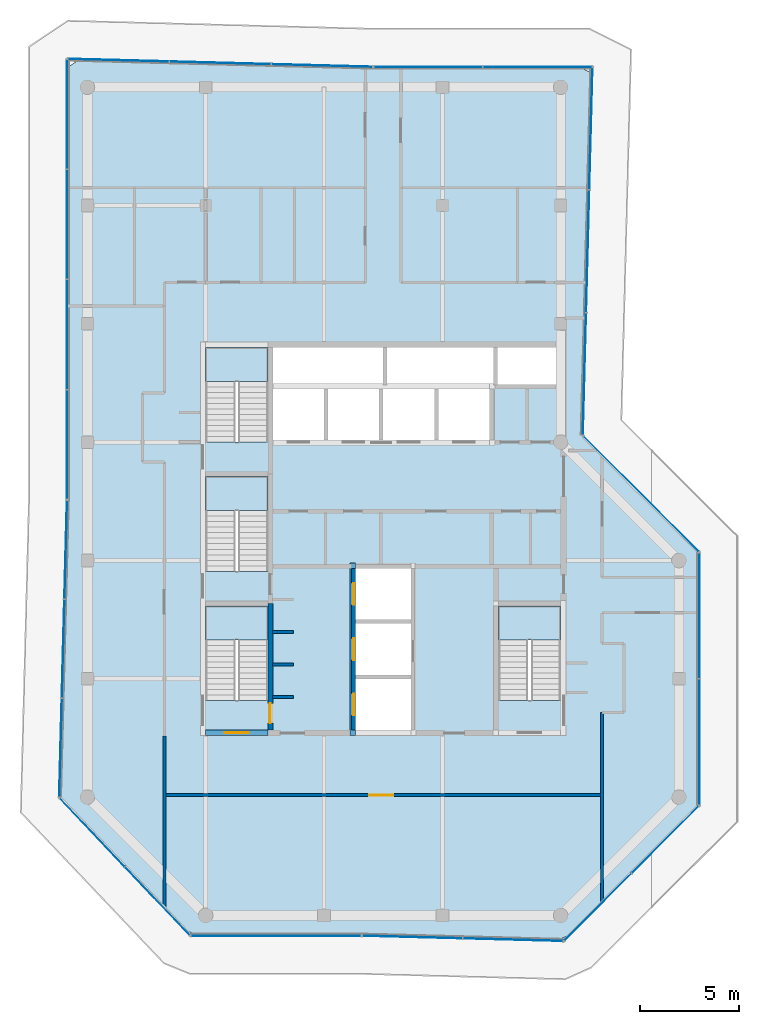
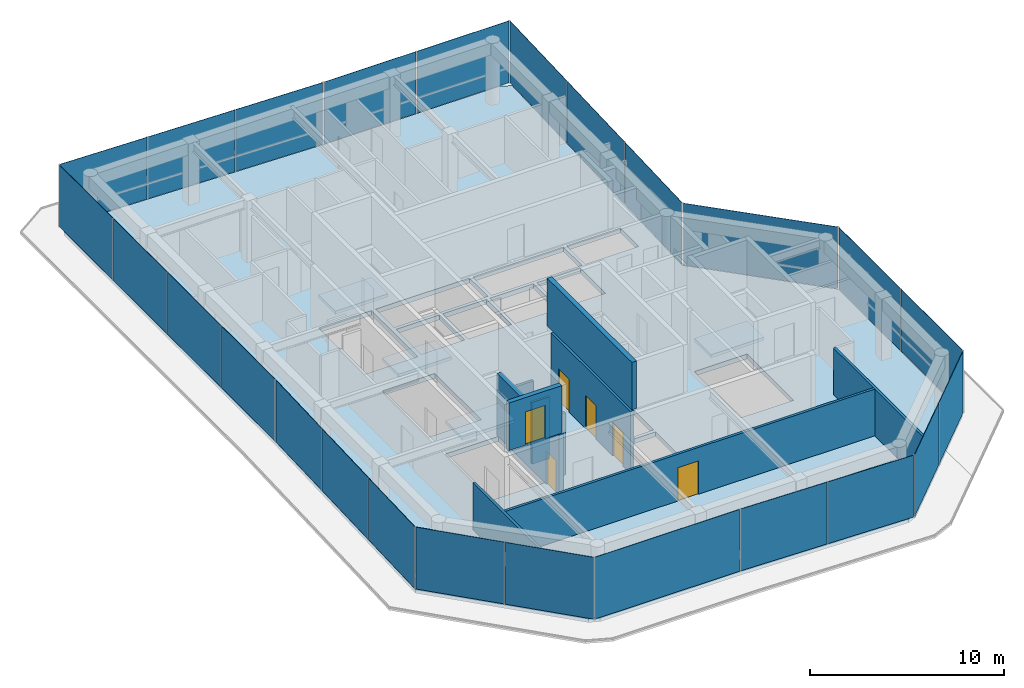
# One storey, part 10 of 15: 25 plates, 10 walls, 6 doors, 5 slabs, 6 openings, 15 elements without a shape of their own.
"""IFC4 building model written with IfcOpenShell, lengths in metres."""

from ifc_helpers import new_model, si_unit, direction, frame, frame_2d, origin, origin_2d, place, context, subcontext, project, spatial, polyline, rectangle, outline, extrude, material, layer, layer_set, type_object, element, fill, aggregate, save


model = new_model("IFC4")

# Units and contexts
model_context = context("Model", 3, precision=1e-05, world=origin(), true_north=direction((0.0, 1.0)))
body_context = subcontext(model_context, "Body", "Model", "MODEL_VIEW")
ifc_project = project(units=[si_unit("LENGTHUNIT", "METRE"), si_unit("AREAUNIT", "SQUARE_METRE"), si_unit("VOLUMEUNIT", "CUBIC_METRE"), si_unit("PLANEANGLEUNIT", "RADIAN"), si_unit("MASSUNIT", "GRAM", prefix="KILO")], contexts=[model_context])

# Site, building, storey
site_placement = place(None, origin())
site = spatial("IfcSite", under=ifc_project, at=site_placement, CompositionType="ELEMENT")
building_placement = place(site_placement, origin())
building = spatial("IfcBuilding", under=site, at=building_placement, Name="Welwitschia Terrace Campus", CompositionType="ELEMENT")
storey_placement = place(building_placement, frame((0.0, 0.0, 339.800048828125)))
storey = spatial("IfcBuildingStorey", under=building, at=storey_placement, Name="L76", CompositionType="ELEMENT", Elevation=339.800048828125)

# Curtain wall, plates
ifc_material_1 = material(Name="Bronze anodised aluminium", Category="aluminium")
ifc_layer_1 = layer(ifc_material_1, 0.10009765625)
ifc_layer_set_1 = layer_set([ifc_layer_1], Name="Bronze anodised aluminium")
curtain_wall_type = type_object("IfcCurtainWallType", Name="Curtain wall CW5 crown 6000", PredefinedType="NOTDEFINED", material=ifc_layer_set_1)
curtain_wall_1_placement = place(storey_placement, origin())
curtain_wall_1 = element("IfcCurtainWall", 1, at=curtain_wall_1_placement, inside=storey, type_object=curtain_wall_type, Name="CW L76.0.0", PredefinedType="NOTDEFINED")
ifc_material_2 = material(Name="Tinted bronze-grey glass", Category="glass")
ifc_layer_2 = layer(ifc_material_2, 0.02392578125)
ifc_layer_set_2 = layer_set([ifc_layer_2], Name="Tinted bronze-grey glass")
plate_type = type_object("IfcPlateType", Name="Glass panel 24 tinted", PredefinedType="CURTAIN_PANEL", material=ifc_layer_set_2)
plate_1_placement = place(storey_placement, frame((-1.09619140625, 14.547119140625, 0.0), z_axis=(0.0, 0.0, 1.0), x_axis=(-0.026176948308, -0.999657324976, 0.0)))
plate_1 = element("IfcPlate", 2, at=plate_1_placement, type_object=plate_type, Name="Panel L76.0.0.0", PredefinedType="CURTAIN_PANEL", context=body_context, shape_type="SweptSolid", body=[
    extrude(rectangle(XDim=4.959716796875, YDim=0.02392578125, at=origin_2d()), origin(), (0.0, 0.0, 1.0), 3.89990234375),
])
plate_2_placement = place(storey_placement, frame((-1.227783203125, 9.526611328125, 0.0), z_axis=(0.0, 0.0, 1.0), x_axis=(-0.026176948308, -0.999657324976, 0.0)))
plate_2 = element("IfcPlate", 3, at=plate_2_placement, type_object=plate_type, Name="Panel L76.0.0.1", PredefinedType="CURTAIN_PANEL", context=body_context, shape_type="SweptSolid", body=[
    extrude(rectangle(XDim=4.984619140625, YDim=0.02392578125, at=origin_2d()), origin(), (0.0, 0.0, 1.0), 3.89990234375),
])
plate_3_placement = place(storey_placement, frame((-1.359130859375, 4.50634765625, 0.0), z_axis=(0.0, 0.0, 1.0), x_axis=(-0.026176948308, -0.999657324976, 0.0)))
plate_3 = element("IfcPlate", 4, at=plate_3_placement, type_object=plate_type, Name="Panel L76.0.0.2", PredefinedType="CURTAIN_PANEL", context=body_context, shape_type="SweptSolid", body=[
    extrude(rectangle(XDim=4.959716796875, YDim=0.02392578125, at=origin_2d()), origin(), (0.0, 0.0, 1.0), 3.89990234375),
])
aggregate(curtain_wall_1, [plate_1, plate_2, plate_3])

curtain_wall_2_placement = place(storey_placement, origin())
curtain_wall_2 = element("IfcCurtainWall", 5, at=curtain_wall_2_placement, inside=storey, type_object=curtain_wall_type, Name="CW L76.1.0", PredefinedType="NOTDEFINED")
plate_4_placement = place(storey_placement, frame((0.24560546875, 0.21630859375, 0.0), z_axis=(0.0, 0.0, 1.0), x_axis=(0.688354575694, -0.725374371012, 0.0)))
plate_4 = element("IfcPlate", 6, at=plate_4_placement, type_object=plate_type, Name="Panel L76.1.0.0", PredefinedType="CURTAIN_PANEL", context=body_context, shape_type="SweptSolid", body=[
    extrude(rectangle(XDim=4.755126953125, YDim=0.02392578125, at=origin_2d()), origin(), (0.0, 0.0, 1.0), 3.89990234375),
])
plate_5_placement = place(storey_placement, frame((3.55322265625, -3.26904296875, 0.0), z_axis=(0.0, 0.0, 1.0), x_axis=(0.688354575694, -0.725374371012, 0.0)))
plate_5 = element("IfcPlate", 7, at=plate_5_placement, type_object=plate_type, Name="Panel L76.1.0.1", PredefinedType="CURTAIN_PANEL", context=body_context, shape_type="SweptSolid", body=[
    extrude(rectangle(XDim=4.755126953125, YDim=0.02392578125, at=origin_2d()), origin(), (0.0, 0.0, 1.0), 3.89990234375),
])
aggregate(curtain_wall_2, [plate_4, plate_5])

# Curtain wall, plate
curtain_wall_3_placement = place(storey_placement, origin())
curtain_wall_3 = element("IfcCurtainWall", 8, at=curtain_wall_3_placement, inside=storey, type_object=curtain_wall_type, Name="CW L76.2.0", PredefinedType="NOTDEFINED")
plate_6_placement = place(storey_placement, frame((9.56884765625, -5.030029296875, 0.0), z_axis=(0.0, 0.0, 1.0), x_axis=(1.0, 0.0, 0.0)))
plate_6 = element("IfcPlate", 9, at=plate_6_placement, type_object=plate_type, Name="Panel L76.2.0.0", PredefinedType="CURTAIN_PANEL", context=body_context, shape_type="SweptSolid", body=[
    extrude(rectangle(XDim=8.589111328125, YDim=0.02392578125, at=origin_2d()), origin(), (0.0, 0.0, 1.0), 3.89990234375),
])
aggregate(curtain_wall_3, [plate_6])

# Curtain wall, plates
curtain_wall_4_placement = place(storey_placement, origin())
curtain_wall_4 = element("IfcCurtainWall", 10, at=curtain_wall_4_placement, inside=storey, type_object=curtain_wall_type, Name="CW L76.3.0", PredefinedType="NOTDEFINED")
plate_7_placement = place(storey_placement, frame((16.487060546875, -5.097412109375, 0.0), z_axis=(0.0, 0.0, 1.0), x_axis=(0.999657324976, -0.026176948308, 0.0)))
plate_7 = element("IfcPlate", 11, at=plate_7_placement, type_object=plate_type, Name="Panel L76.3.0.0", PredefinedType="CURTAIN_PANEL", context=body_context, shape_type="SweptSolid", body=[
    extrude(rectangle(XDim=5.04931640625, YDim=0.02392578125, at=origin_2d()), origin(), (0.0, 0.0, 1.0), 3.89990234375),
])
plate_8_placement = place(storey_placement, frame((21.584716796875, -5.23095703125, 0.0), z_axis=(0.0, 0.0, 1.0), x_axis=(0.999657324976, -0.026176948308, 0.0)))
plate_8 = element("IfcPlate", 12, at=plate_8_placement, type_object=plate_type, Name="Panel L76.3.0.1", PredefinedType="CURTAIN_PANEL", context=body_context, shape_type="SweptSolid", body=[
    extrude(rectangle(XDim=5.04931640625, YDim=0.02392578125, at=origin_2d()), origin(), (0.0, 0.0, 1.0), 3.89990234375),
])
aggregate(curtain_wall_4, [plate_7, plate_8])

curtain_wall_5_placement = place(storey_placement, origin())
curtain_wall_5 = element("IfcCurtainWall", 13, at=curtain_wall_5_placement, inside=storey, type_object=curtain_wall_type, Name="CW L76.4.0", PredefinedType="NOTDEFINED")
plate_9_placement = place(storey_placement, frame((25.885009765625, -3.571533203125, 0.0), z_axis=(0.0, 0.0, 1.0), x_axis=(0.707106781187, 0.707106781187, 0.0)))
plate_9 = element("IfcPlate", 14, at=plate_9_placement, type_object=plate_type, Name="Panel L76.4.0.0", PredefinedType="CURTAIN_PANEL", context=body_context, shape_type="SweptSolid", body=[
    extrude(rectangle(XDim=4.783935546875, YDim=0.02392578125, at=origin_2d()), origin(), (0.0, 0.0, 1.0), 3.89990234375),
])
plate_10_placement = place(storey_placement, frame((29.30322265625, -0.1533203125, 0.0), z_axis=(0.0, 0.0, 1.0), x_axis=(0.707106781187, 0.707106781187, 0.0)))
plate_10 = element("IfcPlate", 15, at=plate_10_placement, type_object=plate_type, Name="Panel L76.4.0.1", PredefinedType="CURTAIN_PANEL", context=body_context, shape_type="SweptSolid", body=[
    extrude(rectangle(XDim=4.783935546875, YDim=0.02392578125, at=origin_2d()), origin(), (0.0, 0.0, 1.0), 3.89990234375),
])
aggregate(curtain_wall_5, [plate_9, plate_10])

curtain_wall_6_placement = place(storey_placement, origin())
curtain_wall_6 = element("IfcCurtainWall", 16, at=curtain_wall_6_placement, inside=storey, type_object=curtain_wall_type, Name="CW L76.5.0", PredefinedType="NOTDEFINED")
plate_11_placement = place(storey_placement, frame((31.030029296875, 4.799072265625, 0.0), z_axis=(0.0, 0.0, 1.0), x_axis=(0.0, 1.0, 0.0)))
plate_11 = element("IfcPlate", 17, at=plate_11_placement, type_object=plate_type, Name="Panel L76.5.0.0", PredefinedType="CURTAIN_PANEL", context=body_context, shape_type="SweptSolid", body=[
    extrude(rectangle(XDim=6.3515625, YDim=0.02392578125, at=origin_2d()), origin(), (0.0, 0.0, 1.0), 3.89990234375),
])
plate_12_placement = place(storey_placement, frame((31.030029296875, 11.200927734375, 0.0), z_axis=(0.0, 0.0, 1.0), x_axis=(0.0, 1.0, 0.0)))
plate_12 = element("IfcPlate", 18, at=plate_12_placement, type_object=plate_type, Name="Panel L76.5.0.1", PredefinedType="CURTAIN_PANEL", context=body_context, shape_type="SweptSolid", body=[
    extrude(rectangle(XDim=6.3515625, YDim=0.02392578125, at=origin_2d()), origin(), (0.0, 0.0, 1.0), 3.89990234375),
])
aggregate(curtain_wall_6, [plate_11, plate_12])

# Curtain wall, plate
curtain_wall_7_placement = place(storey_placement, origin())
curtain_wall_7 = element("IfcCurtainWall", 19, at=curtain_wall_7_placement, inside=storey, type_object=curtain_wall_type, Name="CW L76.6.0", PredefinedType="NOTDEFINED")
plate_13_placement = place(storey_placement, frame((28.0771484375, 17.379638671875, 0.0), z_axis=(0.0, 0.0, 1.0), x_axis=(-0.707106781187, 0.707106781187, 0.0)))
plate_13 = element("IfcPlate", 20, at=plate_13_placement, type_object=plate_type, Name="Panel L76.6.0.0", PredefinedType="CURTAIN_PANEL", context=body_context, shape_type="SweptSolid", body=[
    extrude(rectangle(XDim=8.251953125, YDim=0.02392578125, at=origin_2d()), origin(), (0.0, 0.0, 1.0), 3.89990234375),
])
aggregate(curtain_wall_7, [plate_13])

# Curtain wall, plates
curtain_wall_8_placement = place(storey_placement, origin())
curtain_wall_8 = element("IfcCurtainWall", 21, at=curtain_wall_8_placement, inside=storey, type_object=curtain_wall_type, Name="CW L76.7.0", PredefinedType="NOTDEFINED")
plate_14_placement = place(storey_placement, frame((25.2060546875, 23.461181640625, 0.0), z_axis=(0.0, 0.0, 1.0), x_axis=(0.026176948308, 0.999657324976, 0.0)))
plate_14 = element("IfcPlate", 22, at=plate_14_placement, type_object=plate_type, Name="Panel L76.7.0.0", PredefinedType="CURTAIN_PANEL", context=body_context, shape_type="SweptSolid", body=[
    extrude(rectangle(XDim=6.15966796875, YDim=0.02392578125, at=origin_2d()), origin(), (0.0, 0.0, 1.0), 3.89990234375),
])
plate_15_placement = place(storey_placement, frame((25.368896484375, 29.68115234375, 0.0), z_axis=(0.0, 0.0, 1.0), x_axis=(0.026176948308, 0.999657324976, 0.0)))
plate_15 = element("IfcPlate", 23, at=plate_15_placement, type_object=plate_type, Name="Panel L76.7.0.1", PredefinedType="CURTAIN_PANEL", context=body_context, shape_type="SweptSolid", body=[
    extrude(rectangle(XDim=6.1845703125, YDim=0.02392578125, at=origin_2d()), origin(), (0.0, 0.0, 1.0), 3.89990234375),
])
plate_16_placement = place(storey_placement, frame((25.531982421875, 35.901123046875, 0.0), z_axis=(0.0, 0.0, 1.0), x_axis=(0.026176948308, 0.999657324976, 0.0)))
plate_16 = element("IfcPlate", 24, at=plate_16_placement, type_object=plate_type, Name="Panel L76.7.0.2", PredefinedType="CURTAIN_PANEL", context=body_context, shape_type="SweptSolid", body=[
    extrude(rectangle(XDim=6.15966796875, YDim=0.02392578125, at=origin_2d()), origin(), (0.0, 0.0, 1.0), 3.89990234375),
])
aggregate(curtain_wall_8, [plate_14, plate_15, plate_16])

curtain_wall_9_placement = place(storey_placement, origin())
curtain_wall_9 = element("IfcCurtainWall", 25, at=curtain_wall_9_placement, inside=storey, type_object=curtain_wall_type, Name="CW L76.8.0", PredefinedType="NOTDEFINED")
plate_17_placement = place(storey_placement, frame((22.8203125, 39.030029296875, 0.0), z_axis=(0.0, 0.0, 1.0), x_axis=(-1.0, 0.0, 0.0)))
plate_17 = element("IfcPlate", 26, at=plate_17_placement, type_object=plate_type, Name="Panel L76.8.0.0", PredefinedType="CURTAIN_PANEL", context=body_context, shape_type="SweptSolid", body=[
    extrude(rectangle(XDim=5.48681640625, YDim=0.02392578125, at=origin_2d()), origin(), (0.0, 0.0, 1.0), 3.89990234375),
])
plate_18_placement = place(storey_placement, frame((17.283447265625, 39.030029296875, 0.0), z_axis=(0.0, 0.0, 1.0), x_axis=(-1.0, 0.0, 0.0)))
plate_18 = element("IfcPlate", 27, at=plate_18_placement, type_object=plate_type, Name="Panel L76.8.0.1", PredefinedType="CURTAIN_PANEL", context=body_context, shape_type="SweptSolid", body=[
    extrude(rectangle(XDim=5.48681640625, YDim=0.02392578125, at=origin_2d()), origin(), (0.0, 0.0, 1.0), 3.89990234375),
])
aggregate(curtain_wall_9, [plate_17, plate_18])

curtain_wall_10_placement = place(storey_placement, origin())
curtain_wall_10 = element("IfcCurtainWall", 28, at=curtain_wall_10_placement, inside=storey, type_object=curtain_wall_type, Name="CW L76.9.0", PredefinedType="NOTDEFINED")
plate_19_placement = place(storey_placement, frame((11.890869140625, 39.09814453125, 0.0), z_axis=(0.0, 0.0, 1.0), x_axis=(-0.999657324976, 0.026176948308, 0.0)))
plate_19 = element("IfcPlate", 29, at=plate_19_placement, type_object=plate_type, Name="Panel L76.9.0.0", PredefinedType="CURTAIN_PANEL", context=body_context, shape_type="SweptSolid", body=[
    extrude(rectangle(XDim=5.10009765625, YDim=0.02392578125, at=origin_2d()), origin(), (0.0, 0.0, 1.0), 3.89990234375),
])
plate_20_placement = place(storey_placement, frame((6.72998046875, 39.233154296875, 0.0), z_axis=(0.0, 0.0, 1.0), x_axis=(-0.999657324976, 0.026176948308, 0.0)))
plate_20 = element("IfcPlate", 30, at=plate_20_placement, type_object=plate_type, Name="Panel L76.9.0.1", PredefinedType="CURTAIN_PANEL", context=body_context, shape_type="SweptSolid", body=[
    extrude(rectangle(XDim=5.125244140625, YDim=0.02392578125, at=origin_2d()), origin(), (0.0, 0.0, 1.0), 3.89990234375),
])
plate_21_placement = place(storey_placement, frame((1.569091796875, 39.368408203125, 0.0), z_axis=(0.0, 0.0, 1.0), x_axis=(-0.999657324976, 0.026176948308, 0.0)))
plate_21 = element("IfcPlate", 31, at=plate_21_placement, type_object=plate_type, Name="Panel L76.9.0.2", PredefinedType="CURTAIN_PANEL", context=body_context, shape_type="SweptSolid", body=[
    extrude(rectangle(XDim=5.10009765625, YDim=0.02392578125, at=origin_2d()), origin(), (0.0, 0.0, 1.0), 3.89990234375),
])
aggregate(curtain_wall_10, [plate_19, plate_20, plate_21])

curtain_wall_11_placement = place(storey_placement, origin())
curtain_wall_11 = element("IfcCurtainWall", 32, at=curtain_wall_11_placement, inside=storey, type_object=curtain_wall_type, Name="CW L76.10.0", PredefinedType="NOTDEFINED")
plate_22_placement = place(storey_placement, frame((-1.030029296875, 36.62890625, 0.0), z_axis=(0.0, 0.0, 1.0), x_axis=(0.0, -1.0, 0.0)))
plate_22 = element("IfcPlate", 33, at=plate_22_placement, type_object=plate_type, Name="Panel L76.10.0.0", PredefinedType="CURTAIN_PANEL", context=body_context, shape_type="SweptSolid", body=[
    extrude(rectangle(XDim=5.51513671875, YDim=0.02392578125, at=origin_2d()), origin(), (0.0, 0.0, 1.0), 3.89990234375),
])
plate_23_placement = place(storey_placement, frame((-1.030029296875, 31.05126953125, 0.0), z_axis=(0.0, 0.0, 1.0), x_axis=(0.0, -1.0, 0.0)))
plate_23 = element("IfcPlate", 34, at=plate_23_placement, type_object=plate_type, Name="Panel L76.10.0.1", PredefinedType="CURTAIN_PANEL", context=body_context, shape_type="SweptSolid", body=[
    extrude(rectangle(XDim=5.5400390625, YDim=0.02392578125, at=origin_2d()), origin(), (0.0, 0.0, 1.0), 3.89990234375),
])
plate_24_placement = place(storey_placement, frame((-1.030029296875, 25.461181640625, 0.0), z_axis=(0.0, 0.0, 1.0), x_axis=(0.0, -1.0, 0.0)))
plate_24 = element("IfcPlate", 35, at=plate_24_placement, type_object=plate_type, Name="Panel L76.10.0.2", PredefinedType="CURTAIN_PANEL", context=body_context, shape_type="SweptSolid", body=[
    extrude(rectangle(XDim=5.5400390625, YDim=0.02392578125, at=origin_2d()), origin(), (0.0, 0.0, 1.0), 3.89990234375),
])
plate_25_placement = place(storey_placement, frame((-1.030029296875, 19.883544921875, 0.0), z_axis=(0.0, 0.0, 1.0), x_axis=(0.0, -1.0, 0.0)))
plate_25 = element("IfcPlate", 36, at=plate_25_placement, type_object=plate_type, Name="Panel L76.10.0.3", PredefinedType="CURTAIN_PANEL", context=body_context, shape_type="SweptSolid", body=[
    extrude(rectangle(XDim=5.51513671875, YDim=0.02392578125, at=origin_2d()), origin(), (0.0, 0.0, 1.0), 3.89990234375),
])
aggregate(curtain_wall_11, [plate_22, plate_23, plate_24, plate_25])

# Stair, slab
ifc_material_3 = material(Name="Concrete C40/50", Category="concrete")
stair_type = type_object("IfcStairType", Name="Stair 24R 175 W1500", PredefinedType="HALF_TURN_STAIR", material=ifc_material_3)
stair_1_placement = place(storey_placement, origin())
stair_1 = element("IfcStair", 37, at=stair_1_placement, inside=storey, type_object=stair_type, Name="L76 Exit stair S1", PredefinedType="HALF_TURN_STAIR")
ifc_material_4 = material(Name="Concrete C40/50", Category="concrete")
ifc_layer_3 = layer(ifc_material_4, 0.199951171875)
ifc_layer_set_3 = layer_set([ifc_layer_3], Name="Concrete C40/50")
slab_type_1 = type_object("IfcSlabType", Name="Stair landing RC", PredefinedType="LANDING", material=ifc_layer_set_3)
slab_1_placement = place(storey_placement, frame((0.0, 0.0, 1.89990234375)))
slab_1 = element("IfcSlab", 38, at=slab_1_placement, type_object=slab_type_1, Name="S1 landing 1", PredefinedType="LANDING", context=body_context, shape_type="SweptSolid", body=[
    extrude(outline(polyline([(9.14990234375, 9.97998046875), (9.14990234375, 11.699951171875), (6.0, 11.699951171875), (6.0, 9.97998046875), (9.14990234375, 9.97998046875)])), origin(), (0.0, 0.0, 1.0), 0.199951171875),
])
aggregate(stair_1, [slab_1])

stair_2_placement = place(storey_placement, origin())
stair_2 = element("IfcStair", 39, at=stair_2_placement, inside=storey, type_object=stair_type, Name="L76 Exit stair S3", PredefinedType="HALF_TURN_STAIR")
slab_2_placement = place(storey_placement, frame((0.0, 0.0, 1.89990234375)))
slab_2 = element("IfcSlab", 40, at=slab_2_placement, type_object=slab_type_1, Name="S3 landing 1", PredefinedType="LANDING", context=body_context, shape_type="SweptSolid", body=[
    extrude(outline(polyline([(9.14990234375, 16.530029296875), (9.14990234375, 18.25), (6.0, 18.25), (6.0, 16.530029296875), (9.14990234375, 16.530029296875)])), origin(), (0.0, 0.0, 1.0), 0.199951171875),
])
aggregate(stair_2, [slab_2])

stair_3_placement = place(storey_placement, origin())
stair_3 = element("IfcStair", 41, at=stair_3_placement, inside=storey, type_object=stair_type, Name="L76 Exit stair S4", PredefinedType="HALF_TURN_STAIR")
slab_3_placement = place(storey_placement, frame((0.0, 0.0, 1.89990234375)))
slab_3 = element("IfcSlab", 42, at=slab_3_placement, type_object=slab_type_1, Name="S4 landing 1", PredefinedType="LANDING", context=body_context, shape_type="SweptSolid", body=[
    extrude(outline(polyline([(9.14990234375, 23.080078125), (9.14990234375, 24.800048828125), (6.0, 24.800048828125), (6.0, 23.080078125), (9.14990234375, 23.080078125)])), origin(), (0.0, 0.0, 1.0), 0.199951171875),
])
aggregate(stair_3, [slab_3])

stair_4_placement = place(storey_placement, origin())
stair_4 = element("IfcStair", 43, at=stair_4_placement, inside=storey, type_object=stair_type, Name="L76 Exit stair S2", PredefinedType="HALF_TURN_STAIR")
slab_4_placement = place(storey_placement, frame((0.0, 0.0, 1.89990234375)))
slab_4 = element("IfcSlab", 44, at=slab_4_placement, type_object=slab_type_1, Name="S2 landing 1", PredefinedType="LANDING", context=body_context, shape_type="SweptSolid", body=[
    extrude(outline(polyline([(24.0, 9.97998046875), (24.0, 11.699951171875), (20.85009765625, 11.699951171875), (20.85009765625, 9.97998046875), (24.0, 9.97998046875)])), origin(), (0.0, 0.0, 1.0), 0.199951171875),
])
aggregate(stair_4, [slab_4])

# Slab
ifc_material_5 = material(Name="Concrete C40/50", Category="concrete")
ifc_layer_4 = layer(ifc_material_5, 0.300048828125)
ifc_layer_set_4 = layer_set([ifc_layer_4], Name="Concrete C40/50")
slab_type_2 = type_object("IfcSlabType", Name="Suspended floor slab 300", PredefinedType="FLOOR", material=ifc_layer_set_4)
slab_5_placement = place(storey_placement, frame((0.0, 0.0, -0.300048828125)))
element("IfcSlab", 45, at=slab_5_placement, inside=storey, type_object=slab_type_2, Name="Floor slab L76", PredefinedType="FLOOR", context=body_context, shape_type="SweptSolid", body=[
    extrude(outline(polyline([(-0.415771484375, 39.390380859375), (14.48974609375, 39.0), (25.0, 39.0), (25.575439453125, 38.709716796875), (25.093994140625, 20.3203125), (31.0, 14.414306640625), (31.0, 1.585693359375), (24.414306640625, -5.0), (23.838134765625, -5.259765625), (13.913818359375, -5.0), (5.585693359375, -5.0), (5.01611328125, -4.76708984375), (-1.39501953125, 1.989013671875), (-1.0, 17.07568359375), (-1.0, 39.0), (-0.415771484375, 39.390380859375)]), holes=[polyline([(13.60009765625, 8.0), (13.60009765625, 5.39990234375), (16.39990234375, 5.39990234375), (16.39990234375, 8.0), (13.60009765625, 8.0)]), polyline([(9.14990234375, 11.699951171875), (6.0, 11.699951171875), (6.0, 6.902099609375), (9.14990234375, 6.902099609375), (9.14990234375, 11.699951171875)]), polyline([(9.14990234375, 18.25), (6.0, 18.25), (6.0, 13.451904296875), (9.14990234375, 13.451904296875), (9.14990234375, 18.25)]), polyline([(12.0, 22.699951171875), (9.39990234375, 22.699951171875), (9.39990234375, 20.10009765625), (12.0, 20.10009765625), (12.0, 22.699951171875)]), polyline([(14.800048828125, 22.699951171875), (12.199951171875, 22.699951171875), (12.199951171875, 20.10009765625), (14.800048828125, 20.10009765625), (14.800048828125, 22.699951171875)]), polyline([(9.14990234375, 24.800048828125), (6.0, 24.800048828125), (6.0, 20.001953125), (9.14990234375, 20.001953125), (9.14990234375, 24.800048828125)]), polyline([(15.0, 24.800048828125), (9.39990234375, 24.800048828125), (9.39990234375, 22.89990234375), (15.0, 22.89990234375), (15.0, 24.800048828125)]), polyline([(20.85009765625, 11.699951171875), (20.85009765625, 6.902099609375), (24.0, 6.902099609375), (24.0, 11.699951171875), (20.85009765625, 11.699951171875)]), polyline([(16.39990234375, 10.800048828125), (13.60009765625, 10.800048828125), (13.60009765625, 8.199951171875), (16.39990234375, 8.199951171875), (16.39990234375, 10.800048828125)]), polyline([(16.39990234375, 13.60009765625), (13.60009765625, 13.60009765625), (13.60009765625, 11.0), (16.39990234375, 11.0), (16.39990234375, 13.60009765625)]), polyline([(17.60009765625, 22.699951171875), (15.0, 22.699951171875), (15.0, 20.10009765625), (17.60009765625, 20.10009765625), (17.60009765625, 22.699951171875)]), polyline([(20.39990234375, 22.699951171875), (17.800048828125, 22.699951171875), (17.800048828125, 20.10009765625), (20.39990234375, 20.10009765625), (20.39990234375, 22.699951171875)]), polyline([(20.60009765625, 24.800048828125), (15.199951171875, 24.800048828125), (15.199951171875, 22.89990234375), (20.60009765625, 22.89990234375), (20.60009765625, 24.800048828125)]), polyline([(24.0, 24.800048828125), (20.800048828125, 24.800048828125), (20.800048828125, 22.89990234375), (24.0, 22.89990234375), (24.0, 24.800048828125)])]), origin(), (0.0, 0.0, 1.0), 0.300048828125),
])

# Walls
ifc_material_6 = material(Name="Concrete C50/60", Category="concrete")
ifc_layer_5 = layer(ifc_material_6, 0.14990234375)
ifc_layer_set_5 = layer_set([ifc_layer_5], Name="Concrete C50/60")
wall_type_1 = type_object("IfcWallType", Name="Core wall 150 Concrete C50/60", PredefinedType="SHEAR", material=ifc_layer_set_5)
for number, where, z_axis, x_axis, name in (
    (46, (9.39990234375, 7.074951171875, 0.0), (0.0, 0.0, 1.0), (1.0, 0.0, 0.0), "Core wall"),
    (47, (9.39990234375, 8.72509765625, 0.0), (0.0, 0.0, 1.0), (1.0, 0.0, 0.0), "Core wall"),
    (48, (9.39990234375, 10.375, 0.0), (0.0, 0.0, 1.0), (1.0, 0.0, 0.0), "Core wall"),
):
    element("IfcWall", number, at=place(storey_placement, frame(where, z_axis=z_axis, x_axis=x_axis)), inside=storey, type_object=wall_type_1, Name=name, PredefinedType="SHEAR", context=body_context, shape_type="SweptSolid", body=[
        extrude(rectangle(XDim=1.050048828125, YDim=0.14990234375, at=frame_2d((0.52490234375, 0.0))), origin(), (0.0, 0.0, 1.0), 3.89990234375),
    ])

# Wall, openings, doors
ifc_material_7 = material(Name="Concrete C50/60", Category="concrete")
ifc_layer_6 = layer(ifc_material_7, 0.199951171875)
ifc_layer_set_6 = layer_set([ifc_layer_6], Name="Concrete C50/60")
wall_type_2 = type_object("IfcWallType", Name="Core wall 200 Concrete C50/60", PredefinedType="SHEAR", material=ifc_layer_set_6)
wall_1_placement = place(storey_placement, frame((13.5, 5.39990234375, 0.0), z_axis=(0.0, 0.0, 1.0), x_axis=(0.0, 1.0, 0.0)))
wall_1 = element("IfcWall", 49, at=wall_1_placement, inside=storey, type_object=wall_type_2, Name="Core wall", PredefinedType="SHEAR", context=body_context, shape_type="SweptSolid", body=[
    extrude(rectangle(XDim=8.2001953125, YDim=0.199951171875, at=frame_2d((4.10009765625, 0.0))), origin(), (0.0, 0.0, 1.0), 3.89990234375),
])
opening_1_placement = place(wall_1_placement, frame((0.75, 0.0, 0.0)))
opening_1 = element("IfcOpeningElement", 50, at=opening_1_placement, cuts=wall_1, Name="Opening LD", PredefinedType="OPENING", context=body_context, shape_type="SweptSolid", body=[
    extrude(rectangle(XDim=1.10009765625, YDim=2.10009765625, at=frame_2d((0.550048828125, 1.050048828125))), frame((0.0, 0.10986328125, 0.0), z_axis=(0.0, -1.0, 0.0), x_axis=(1.0, 0.0, 0.0)), (0.0, 0.0, 1.0), 0.219970703125),
])
opening_2_placement = place(wall_1_placement, frame((3.550048828125, 0.0, 0.0)))
opening_2 = element("IfcOpeningElement", 51, at=opening_2_placement, cuts=wall_1, Name="Opening LD", PredefinedType="OPENING", context=body_context, shape_type="SweptSolid", body=[
    extrude(rectangle(XDim=1.10009765625, YDim=2.10009765625, at=frame_2d((0.550048828125, 1.050048828125))), frame((0.0, 0.10986328125, 0.0), z_axis=(0.0, -1.0, 0.0), x_axis=(1.0, 0.0, 0.0)), (0.0, 0.0, 1.0), 0.219970703125),
])
opening_3_placement = place(wall_1_placement, frame((6.35009765625, 0.0, 0.0)))
opening_3 = element("IfcOpeningElement", 52, at=opening_3_placement, cuts=wall_1, Name="Opening LD", PredefinedType="OPENING", context=body_context, shape_type="SweptSolid", body=[
    extrude(rectangle(XDim=1.10009765625, YDim=2.10009765625, at=frame_2d((0.550048828125, 1.050048828125))), frame((0.0, 0.10986328125, 0.0), z_axis=(0.0, -1.0, 0.0), x_axis=(1.0, 0.0, 0.0)), (0.0, 0.0, 1.0), 0.219970703125),
])
ifc_material_8 = material(Name="Stainless steel 304", Category="steel")
door_type_1 = type_object("IfcDoorType", Name="Lift landing door", OperationType="DOUBLE_DOOR_SLIDING", PredefinedType="DOOR", material=ifc_material_8)
door_1_placement = place(opening_1_placement, origin())
door_1 = element("IfcDoor", 53, at=door_1_placement, inside=storey, type_object=door_type_1, Name="Landing door FF1", OperationType="DOUBLE_DOOR_SLIDING", OverallHeight=2.10009765625, OverallWidth=1.10009765625, PredefinedType="DOOR", context=body_context, shape_type="SweptSolid", body=[
    extrude(rectangle(XDim=1.10009765625, YDim=2.10009765625, at=frame_2d((0.550048828125, 1.050048828125))), frame((0.0, 0.02490234375, 0.0), z_axis=(0.0, -1.0, 0.0), x_axis=(1.0, 0.0, 0.0)), (0.0, 0.0, 1.0), 0.050048828125),
])
fill(opening_1, door_1)
door_2_placement = place(opening_2_placement, origin())
door_2 = element("IfcDoor", 54, at=door_2_placement, inside=storey, type_object=door_type_1, Name="Landing door FF2", OperationType="DOUBLE_DOOR_SLIDING", OverallHeight=2.10009765625, OverallWidth=1.10009765625, PredefinedType="DOOR", context=body_context, shape_type="SweptSolid", body=[
    extrude(rectangle(XDim=1.10009765625, YDim=2.10009765625, at=frame_2d((0.550048828125, 1.050048828125))), frame((0.0, 0.02490234375, 0.0), z_axis=(0.0, -1.0, 0.0), x_axis=(1.0, 0.0, 0.0)), (0.0, 0.0, 1.0), 0.050048828125),
])
fill(opening_2, door_2)
door_3_placement = place(opening_3_placement, origin())
door_3 = element("IfcDoor", 55, at=door_3_placement, inside=storey, type_object=door_type_1, Name="Landing door SV1", OperationType="DOUBLE_DOOR_SLIDING", OverallHeight=2.10009765625, OverallWidth=1.10009765625, PredefinedType="DOOR", context=body_context, shape_type="SweptSolid", body=[
    extrude(rectangle(XDim=1.10009765625, YDim=2.10009765625, at=frame_2d((0.550048828125, 1.050048828125))), frame((0.0, 0.02490234375, 0.0), z_axis=(0.0, -1.0, 0.0), x_axis=(1.0, 0.0, 0.0)), (0.0, 0.0, 1.0), 0.050048828125),
])
fill(opening_3, door_3)

# Wall, opening, door
ifc_material_9 = material(Name="Concrete C50/60", Category="concrete")
ifc_layer_7 = layer(ifc_material_9, 0.25)
ifc_layer_set_7 = layer_set([ifc_layer_7], Name="Concrete C50/60")
wall_type_3 = type_object("IfcWallType", Name="Core wall 250 Concrete C50/60", PredefinedType="SHEAR", material=ifc_layer_set_7)
wall_2_placement = place(storey_placement, frame((9.27490234375, 11.824951171875, 0.0), z_axis=(0.0, 0.0, 1.0), x_axis=(0.0, -1.0, 0.0)))
wall_2 = element("IfcWall", 56, at=wall_2_placement, inside=storey, type_object=wall_type_3, Name="Core wall", PredefinedType="SHEAR", context=body_context, shape_type="SweptSolid", body=[
    extrude(rectangle(XDim=6.425048828125, YDim=0.25, at=frame_2d((3.21240234375, 0.0))), origin(), (0.0, 0.0, 1.0), 3.89990234375),
])
opening_4_placement = place(wall_2_placement, frame((5.074951171875, 0.0, 0.0)))
opening_4 = element("IfcOpeningElement", 57, at=opening_4_placement, cuts=wall_2, Name="Opening DS10", PredefinedType="OPENING", context=body_context, shape_type="SweptSolid", body=[
    extrude(rectangle(XDim=1.0, YDim=2.10009765625, at=frame_2d((0.5, 1.050048828125))), frame((0.0, 0.135009765625, 0.0), z_axis=(0.0, -1.0, 0.0), x_axis=(1.0, 0.0, 0.0)), (0.0, 0.0, 1.0), 0.27001953125),
])
ifc_material_10 = material(Name="Steel S275", Category="steel")
door_type_2 = type_object("IfcDoorType", Name="Core door DS10", OperationType="SINGLE_SWING_LEFT", PredefinedType="DOOR", material=ifc_material_10)
door_4_placement = place(opening_4_placement, origin())
door_4 = element("IfcDoor", 58, at=door_4_placement, inside=storey, type_object=door_type_2, Name="Door S1-FL", OperationType="SINGLE_SWING_RIGHT", OverallHeight=2.10009765625, OverallWidth=1.0, PredefinedType="DOOR", context=body_context, shape_type="SweptSolid", body=[
    extrude(rectangle(XDim=1.0, YDim=2.10009765625, at=frame_2d((0.5, 1.050048828125))), frame((0.0, 0.02490234375, 0.0), z_axis=(0.0, -1.0, 0.0), x_axis=(1.0, 0.0, 0.0)), (0.0, 0.0, 1.0), 0.050048828125),
])
fill(opening_4, door_4)

# Walls
ifc_material_11 = material(Name="Gypsum board on steel studs", Category="steel")
ifc_layer_8 = layer(ifc_material_11, 0.14990234375)
ifc_layer_set_8 = layer_set([ifc_layer_8], Name="Gypsum board on steel studs")
wall_type_4 = type_object("IfcWallType", Name="Corridor partition 150 EI 30", PredefinedType="PARTITIONING", material=ifc_layer_set_8)
wall_3_placement = place(storey_placement, frame((3.89990234375, -3.56005859375, 0.0), z_axis=(0.0, 0.0, 1.0), x_axis=(0.0, 1.0, 0.0)))
element("IfcWall", 59, at=wall_3_placement, inside=storey, type_object=wall_type_4, Name="Partition", PredefinedType="PARTITIONING", context=body_context, shape_type="SweptSolid", body=[
    extrude(rectangle(XDim=8.66015625, YDim=0.14990234375, at=frame_2d((4.330078125, 0.0))), origin(), (0.0, 0.0, 1.0), 2.949951171875),
])
wall_4_placement = place(storey_placement, frame((26.10009765625, -3.2900390625, 0.0), z_axis=(0.0, 0.0, 1.0), x_axis=(0.0, 1.0, 0.0)))
element("IfcWall", 60, at=wall_4_placement, inside=storey, type_object=wall_type_4, Name="Partition", PredefinedType="PARTITIONING", context=body_context, shape_type="SweptSolid", body=[
    extrude(rectangle(XDim=9.590087890625, YDim=0.14990234375, at=frame_2d((4.794921875, 0.0))), origin(), (0.0, 0.0, 1.0), 2.949951171875),
])

# Wall, opening, door
wall_5_placement = place(storey_placement, frame((26.10009765625, 2.10009765625, 0.0), z_axis=(0.0, 0.0, 1.0), x_axis=(-1.0, 0.0, 0.0)))
wall_5 = element("IfcWall", 61, at=wall_5_placement, inside=storey, type_object=wall_type_4, Name="Partition", PredefinedType="PARTITIONING", context=body_context, shape_type="SweptSolid", body=[
    extrude(rectangle(XDim=22.2001953125, YDim=0.14990234375, at=frame_2d((11.10009765625, 0.0))), origin(), (0.0, 0.0, 1.0), 2.949951171875),
])
opening_5_placement = place(wall_5_placement, frame((10.60009765625, 0.0, 0.0)))
opening_5 = element("IfcOpeningElement", 62, at=opening_5_placement, cuts=wall_5, Name="Opening DX12", PredefinedType="OPENING", context=body_context, shape_type="SweptSolid", body=[
    extrude(rectangle(XDim=1.199951171875, YDim=2.10009765625, at=frame_2d((0.60009765625, 1.050048828125))), frame((0.0, 0.0849609375, 0.0), z_axis=(0.0, -1.0, 0.0), x_axis=(1.0, 0.0, 0.0)), (0.0, 0.0, 1.0), 0.169921875),
])
ifc_material_12 = material(Name="Timber veneered door", Category="wood")
door_type_3 = type_object("IfcDoorType", Name="Interior door DX12", OperationType="NOTDEFINED", PredefinedType="DOOR", material=ifc_material_12)
door_5_placement = place(opening_5_placement, origin())
door_5 = element("IfcDoor", 63, at=door_5_placement, inside=storey, type_object=door_type_3, Name="Door L76 1307", OperationType="SINGLE_SWING_RIGHT", OverallHeight=2.10009765625, OverallWidth=1.199951171875, PredefinedType="DOOR", context=body_context, shape_type="SweptSolid", body=[
    extrude(rectangle(XDim=1.199951171875, YDim=2.10009765625, at=frame_2d((0.60009765625, 1.050048828125))), frame((0.0, 0.02490234375, 0.0), z_axis=(0.0, -1.0, 0.0), x_axis=(1.0, 0.0, 0.0)), (0.0, 0.0, 1.0), 0.050048828125),
])
fill(opening_5, door_5)

ifc_material_13 = material(Name="Concrete C50/60", Category="concrete")
ifc_layer_9 = layer(ifc_material_13, 0.27490234375)
ifc_layer_set_9 = layer_set([ifc_layer_9], Name="Concrete C50/60")
wall_type_5 = type_object("IfcWallType", Name="Head house wall 275 Concrete C50/60", PredefinedType="SHEAR", material=ifc_layer_set_9)
wall_6_placement = place(storey_placement, frame((9.14990234375, 5.262939453125, 4.199951171875), z_axis=(0.0, 0.0, 1.0), x_axis=(-1.0, 0.0, 0.0)))
wall_6 = element("IfcWall", 64, at=wall_6_placement, inside=storey, type_object=wall_type_5, Name="Core wall", PredefinedType="SHEAR", context=body_context, shape_type="SweptSolid", body=[
    extrude(rectangle(XDim=3.14990234375, YDim=0.27490234375, at=frame_2d((1.574951171875, 0.0))), origin(), (0.0, 0.0, 1.0), 3.0),
])
opening_6_placement = place(wall_6_placement, frame((0.97509765625, 0.0, 0.0)))
opening_6 = element("IfcOpeningElement", 65, at=opening_6_placement, cuts=wall_6, Name="Opening DS12", PredefinedType="OPENING", context=body_context, shape_type="SweptSolid", body=[
    extrude(rectangle(XDim=1.199951171875, YDim=2.10009765625, at=frame_2d((0.60009765625, 1.050048828125))), frame((0.0, 0.1474609375, 0.0), z_axis=(0.0, -1.0, 0.0), x_axis=(1.0, 0.0, 0.0)), (0.0, 0.0, 1.0), 0.294921875),
])
ifc_material_14 = material(Name="Steel S275", Category="steel")
door_type_4 = type_object("IfcDoorType", Name="Core door DS12", OperationType="SINGLE_SWING_LEFT", PredefinedType="DOOR", material=ifc_material_14)
door_6_placement = place(opening_6_placement, origin())
door_6 = element("IfcDoor", 66, at=door_6_placement, inside=storey, type_object=door_type_4, Name="Door S1", OperationType="SINGLE_SWING_LEFT", OverallHeight=2.10009765625, OverallWidth=1.199951171875, PredefinedType="DOOR", context=body_context, shape_type="SweptSolid", body=[
    extrude(rectangle(XDim=1.199951171875, YDim=2.10009765625, at=frame_2d((0.60009765625, 1.050048828125))), frame((0.0, 0.02490234375, 0.0), z_axis=(0.0, -1.0, 0.0), x_axis=(1.0, 0.0, 0.0)), (0.0, 0.0, 1.0), 0.050048828125),
])
fill(opening_6, door_6)

# Wall
wall_7_placement = place(storey_placement, frame((13.462890625, 5.125, 4.199951171875), z_axis=(0.0, 0.0, 1.0), x_axis=(0.0, 1.0, 0.0)))
element("IfcWall", 67, at=wall_7_placement, inside=storey, type_object=wall_type_5, Name="Core wall", PredefinedType="SHEAR", context=body_context, shape_type="SweptSolid", body=[
    extrude(rectangle(XDim=8.75, YDim=0.27490234375, at=frame_2d((4.375, 0.0))), origin(), (0.0, 0.0, 1.0), 3.0),
])

save(model, "model.ifc")
